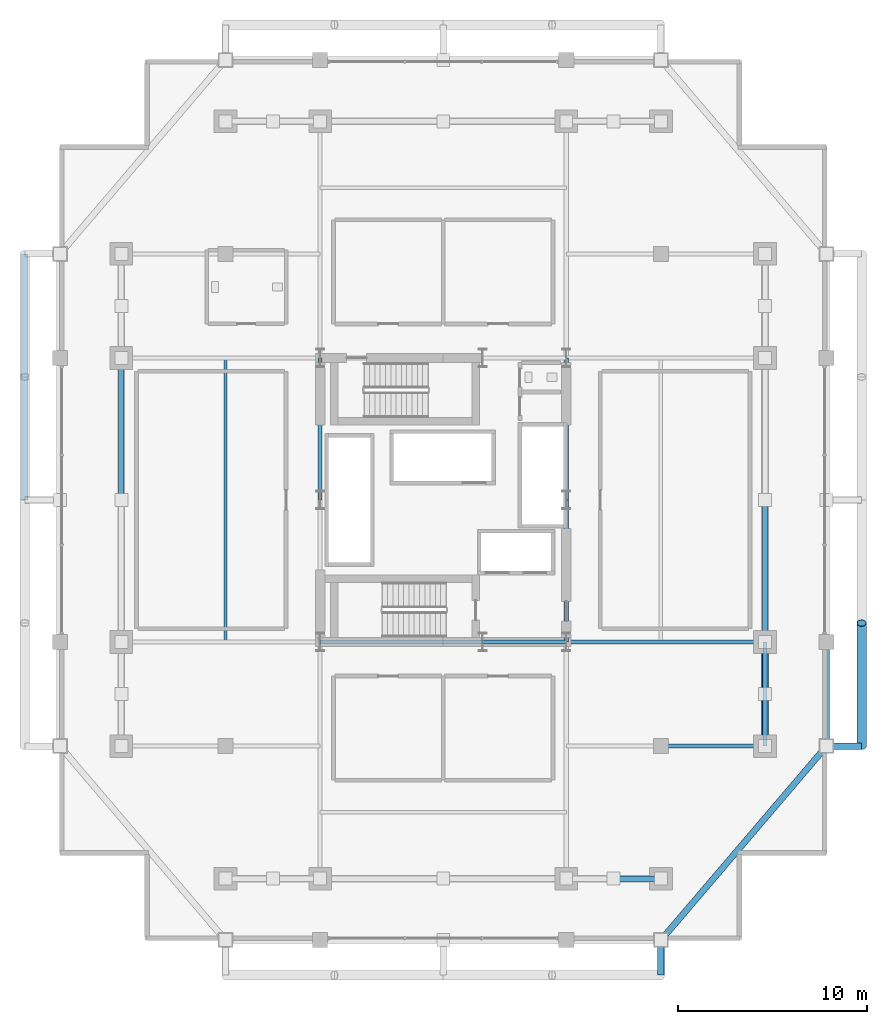
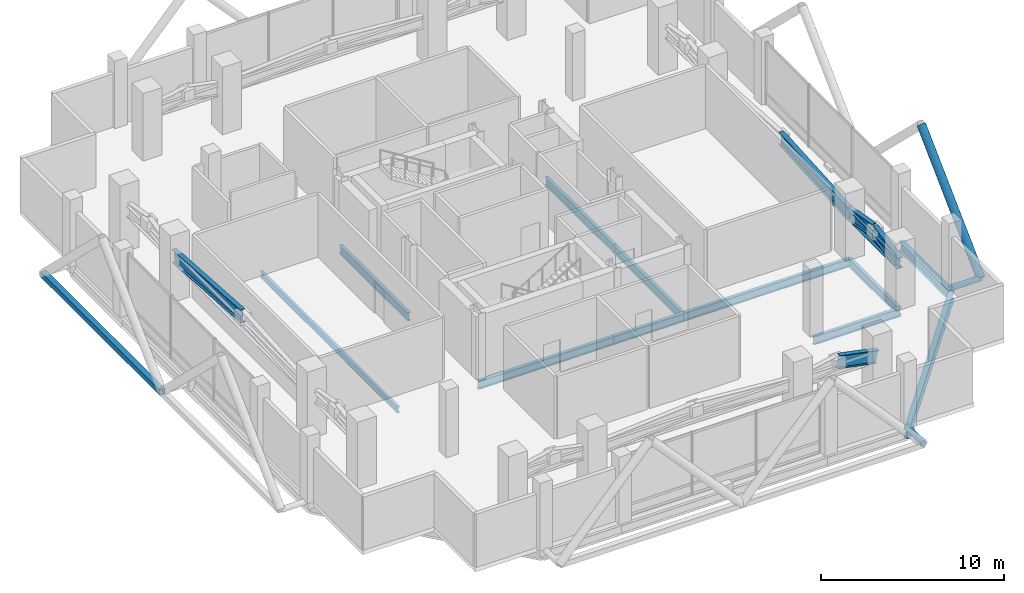
# One storey, part 8 of 22: 11 beams, 10 members.
"""IFC4 building model written with IfcOpenShell, lengths in metres."""

from ifc_helpers import new_model, si_unit, direction, frame, origin, origin_2d, place, context, subcontext, project, spatial, hollow_rectangle, hollow_circle, i_section, extrude, material, material_profile, profile_set, type_object, element, save


model = new_model("IFC4")

# Units and contexts
model_context = context("Model", 3, precision=1e-05, world=origin(), true_north=direction((0.0, 1.0)))
body_context = subcontext(model_context, "Body", "Model", "MODEL_VIEW")
ifc_project = project(units=[si_unit("LENGTHUNIT", "METRE"), si_unit("AREAUNIT", "SQUARE_METRE"), si_unit("VOLUMEUNIT", "CUBIC_METRE"), si_unit("PLANEANGLEUNIT", "RADIAN"), si_unit("MASSUNIT", "GRAM", prefix="KILO")], contexts=[model_context])

# Site, building, storey
site_placement = place(None, origin())
site = spatial("IfcSite", under=ifc_project, at=site_placement, CompositionType="ELEMENT")
building_placement = place(site_placement, origin())
building = spatial("IfcBuilding", under=site, at=building_placement, Name="Barlavira Tower and Art Museum", CompositionType="ELEMENT")
storey_placement = place(building_placement, frame((0.0, 0.0, 120.60009765625)))
storey = spatial("IfcBuildingStorey", under=building, at=storey_placement, Name="L30", CompositionType="ELEMENT", Elevation=120.60009765625)

# Members
ifc_material = material(Name="Steel S355", Category="steel")
ifc_material_profile_1 = material_profile(ifc_material, i_section(OverallWidth=0.35595703125, OverallDepth=0.695068359375, WebThickness=0.014892578125, FlangeThickness=0.023681640625, at=origin_2d()), Name="W690x192.0")
ifc_profile_set_1 = profile_set([ifc_material_profile_1], Name="Steel S355")
member_type_1 = type_object("IfcMemberType", Name="Belt Truss Chord Member W690x192 Steel S355", PredefinedType="CHORD", material=ifc_profile_set_1)
member_1_placement = place(storey_placement, frame((17.0, -13.0, 2.64990234375), z_axis=(0.0, 1.0, 0.0), x_axis=(-1.0, 0.0, 0.0)))
element("IfcMember", 1, at=member_1_placement, inside=storey, type_object=member_type_1, Name="L30 Belt Truss Bottom Chord BE1", PredefinedType="CHORD", context=body_context, shape_type="SweptSolid", body=[
    extrude(i_section(OverallWidth=0.35595703125, OverallDepth=0.695068359375, WebThickness=0.014892578125, FlangeThickness=0.023681640625, at=origin_2d()), origin(), (0.0, 0.0, 1.0), 5.5),
])
ifc_material_profile_2 = material_profile(ifc_material, i_section(OverallWidth=0.2939453125, OverallDepth=0.85107421875, WebThickness=0.017333984375, FlangeThickness=0.0283203125, at=origin_2d()), Name="W840x251.0")
ifc_profile_set_2 = profile_set([ifc_material_profile_2], Name="Steel S355")
member_type_2 = type_object("IfcMemberType", Name="Belt Truss Diagonal Brace W840x251 Steel S355", PredefinedType="BRACE", material=ifc_profile_set_2)
member_2_placement = place(storey_placement, frame((9.0, -20.0, 3.14990234375), z_axis=(0.980580675691, 0.0, -0.196116135138), x_axis=(0.0, 1.0, 0.0)))
element("IfcMember", 2, at=member_2_placement, inside=storey, type_object=member_type_2, Name="L30 Belt Truss Diagonal BS3-2", PredefinedType="BRACE", context=body_context, shape_type="SweptSolid", body=[
    extrude(i_section(OverallWidth=0.2939453125, OverallDepth=0.85107421875, WebThickness=0.017333984375, FlangeThickness=0.0283203125, at=origin_2d()), origin(), (0.0, 0.0, 1.0), 2.549560546875),
])
member_3_placement = place(storey_placement, frame((-17.0, 0.0, 3.14990234375), z_axis=(0.0, 0.997785157857, -0.066519010524), x_axis=(-1.0, 0.0, 0.0)))
element("IfcMember", 3, at=member_3_placement, inside=storey, type_object=member_type_2, Name="L30 Belt Truss Diagonal BW2-2", PredefinedType="BRACE", context=body_context, shape_type="SweptSolid", body=[
    extrude(i_section(OverallWidth=0.2939453125, OverallDepth=0.85107421875, WebThickness=0.017333984375, FlangeThickness=0.0283203125, at=origin_2d()), origin(), (0.0, 0.0, 1.0), 7.5166015625),
])
for number, where, z_axis, x_axis, name in (
    (4, (17.0, -13.0, 2.64990234375), (0.0, 0.9838699101, 0.1788854382), (-1.0, 0.0, 0.0), "L30 Belt Truss Diagonal BE1-1"),
    (5, (17.0, -10.25, 3.14990234375), (0.0, 0.9838699101, -0.1788854382), (-1.0, 0.0, 0.0), "L30 Belt Truss Diagonal BE1-2"),
):
    element("IfcMember", number, at=place(storey_placement, frame(where, z_axis=z_axis, x_axis=x_axis)), inside=storey, type_object=member_type_2, Name=name, PredefinedType="BRACE", context=body_context, shape_type="SweptSolid", body=[
        extrude(i_section(OverallWidth=0.2939453125, OverallDepth=0.85107421875, WebThickness=0.017333984375, FlangeThickness=0.0283203125, at=origin_2d()), origin(), (0.0, 0.0, 1.0), 2.795166015625),
    ])
member_4_placement = place(storey_placement, frame((17.0, -7.5, 2.64990234375), z_axis=(0.0, 0.997785157857, 0.066519010524), x_axis=(-1.0, 0.0, 0.0)))
element("IfcMember", 6, at=member_4_placement, inside=storey, type_object=member_type_2, Name="L30 Belt Truss Diagonal BE2-1", PredefinedType="BRACE", context=body_context, shape_type="SweptSolid", body=[
    extrude(i_section(OverallWidth=0.2939453125, OverallDepth=0.85107421875, WebThickness=0.017333984375, FlangeThickness=0.0283203125, at=origin_2d()), origin(), (0.0, 0.0, 1.0), 7.5166015625),
])
ifc_material_profile_3 = material_profile(ifc_material, hollow_circle(Radius=0.25390625, WallThickness=0.022216796875, at=origin_2d()), Name="CHS 508.0x22.2")
ifc_profile_set_3 = profile_set([ifc_material_profile_3], Name="Steel S355")
member_type_3 = type_object("IfcMemberType", Name="Pale-Metal Exoskeleton Diagrid Tube CHS 508x22 Steel S355", PredefinedType="BRACE", material=ifc_profile_set_3)
member_5_placement = place(storey_placement, frame((22.10009765625, -13.0, -0.1201171875), z_axis=(0.0, 0.718064979499, 0.695976066555), x_axis=(-1.0, 0.0, 0.0)))
element("IfcMember", 7, at=member_5_placement, inside=storey, type_object=member_type_3, Name="L30 Exoskeleton Diagrid Tube E", PredefinedType="BRACE", context=body_context, shape_type="SweptSolid", body=[
    extrude(hollow_circle(Radius=0.25390625, WallThickness=0.022216796875, at=origin_2d()), origin(), (0.0, 0.0, 1.0), 9.052001953125),
])
ifc_material_profile_4 = material_profile(ifc_material, hollow_rectangle(XDim=0.35009765625, YDim=0.35009765625, WallThickness=0.02001953125, at=origin_2d()), Name="SHS 350x350x20.0")
ifc_profile_set_4 = profile_set([ifc_material_profile_4], Name="Steel S355")
member_type_4 = type_object("IfcMemberType", Name="Pale-Metal Exoskeleton Ring Strut SHS 350x350x20 Steel S355", PredefinedType="STRUT", material=ifc_profile_set_4)
member_6_placement = place(storey_placement, frame((-22.10009765625, 0.0, -0.1201171875), z_axis=(0.0, 1.0, 0.0), x_axis=(-1.0, 0.0, 0.0)))
element("IfcMember", 8, at=member_6_placement, inside=storey, type_object=member_type_4, Name="L30 Exoskeleton Ring Strut W", PredefinedType="STRUT", context=body_context, shape_type="SweptSolid", body=[
    extrude(hollow_rectangle(XDim=0.35009765625, YDim=0.35009765625, WallThickness=0.02001953125, at=origin_2d()), origin(), (0.0, 0.0, 1.0), 13.0),
])
ifc_material_profile_5 = material_profile(ifc_material, hollow_circle(Radius=0.177734375, WallThickness=0.01611328125, at=origin_2d()), Name="CHS 355.6x16.0")
ifc_profile_set_5 = profile_set([ifc_material_profile_5], Name="Steel S355")
member_type_5 = type_object("IfcMemberType", Name="Pale-Metal Exoskeleton Tie Strut CHS 356x16 Steel S355", PredefinedType="STRUT", material=ifc_profile_set_5)
for number, where, z_axis, x_axis, name in (
    (9, (11.5, -25.10009765625, -0.1201171875), (0.0, 1.0, 0.0), (-1.0, 0.0, 0.0), "L30 Exoskeleton Tie Strut S3"),
    (10, (22.10009765625, -13.0, -0.1201171875), (-1.0, 0.0, 0.0), (0.0, -1.0, 0.0), "L30 Exoskeleton Tie Strut E1"),
):
    element("IfcMember", number, at=place(storey_placement, frame(where, z_axis=z_axis, x_axis=x_axis)), inside=storey, type_object=member_type_5, Name=name, PredefinedType="STRUT", context=body_context, shape_type="SweptSolid", body=[
        extrude(hollow_circle(Radius=0.177734375, WallThickness=0.01611328125, at=origin_2d()), origin(), (0.0, 0.0, 1.0), 1.85009765625),
    ])

# Beams
ifc_material_profile_6 = material_profile(ifc_material, i_section(OverallWidth=0.327880859375, OverallDepth=0.62890625, WebThickness=0.013916015625, FlangeThickness=0.021484375, at=origin_2d()), Name="W610x174.0")
ifc_profile_set_6 = profile_set([ifc_material_profile_6], Name="Steel S355")
beam_type_1 = type_object("IfcBeamType", Name="Perimeter Spandrel Edge Beam W610x174 Steel S355", PredefinedType="SPANDREL", material=ifc_profile_set_6)
beam_1_placement = place(storey_placement, frame((11.5, -23.25, -0.614501953125), z_axis=(0.649262379928, 0.760564502202, 0.0), x_axis=(-0.760564502202, 0.649262379928, 0.0)))
element("IfcBeam", 11, at=beam_1_placement, inside=storey, type_object=beam_type_1, Name="L30 Spandrel 4", PredefinedType="SPANDREL", context=body_context, shape_type="SweptSolid", body=[
    extrude(i_section(OverallWidth=0.327880859375, OverallDepth=0.62890625, WebThickness=0.013916015625, FlangeThickness=0.021484375, at=origin_2d()), origin(), (0.0, 0.0, 1.0), 13.476806640625),
])
beam_2_placement = place(storey_placement, frame((20.25, -13.0, -0.614501953125), z_axis=(0.0, 1.0, 0.0), x_axis=(-1.0, 0.0, 0.0)))
element("IfcBeam", 12, at=beam_2_placement, inside=storey, type_object=beam_type_1, Name="L30 Spandrel 5", PredefinedType="SPANDREL", context=body_context, shape_type="SweptSolid", body=[
    extrude(i_section(OverallWidth=0.327880859375, OverallDepth=0.62890625, WebThickness=0.013916015625, FlangeThickness=0.021484375, at=origin_2d()), origin(), (0.0, 0.0, 1.0), 5.5),
])
ifc_material_profile_7 = material_profile(ifc_material, i_section(OverallWidth=0.214111328125, OverallDepth=0.549072265625, WebThickness=0.0146484375, FlangeThickness=0.023681640625, at=origin_2d()), Name="W530x138.0")
ifc_profile_set_7 = profile_set([ifc_material_profile_7], Name="Steel S355")
beam_type_2 = type_object("IfcBeamType", Name="Zone 1 Primary Floor Girder W530x138 Steel S355", PredefinedType="BEAM", material=ifc_profile_set_7)
beam_3_placement = place(storey_placement, frame((-6.5, -7.5, -0.57470703125), z_axis=(1.0, 0.0, 0.0), x_axis=(0.0, 1.0, 0.0)))
element("IfcBeam", 13, at=beam_3_placement, inside=storey, type_object=beam_type_2, Name="L30 Girder C-S1", PredefinedType="BEAM", context=body_context, shape_type="SweptSolid", body=[
    extrude(i_section(OverallWidth=0.214111328125, OverallDepth=0.549072265625, WebThickness=0.0146484375, FlangeThickness=0.023681640625, at=origin_2d()), origin(), (0.0, 0.0, 1.0), 8.580078125),
])
beam_4_placement = place(storey_placement, frame((2.080078125, -7.5, -0.57470703125), z_axis=(1.0, 0.0, 0.0), x_axis=(0.0, 1.0, 0.0)))
element("IfcBeam", 14, at=beam_4_placement, inside=storey, type_object=beam_type_2, Name="L30 Girder C-S2", PredefinedType="BEAM", context=body_context, shape_type="SweptSolid", body=[
    extrude(i_section(OverallWidth=0.214111328125, OverallDepth=0.549072265625, WebThickness=0.0146484375, FlangeThickness=0.023681640625, at=origin_2d()), origin(), (0.0, 0.0, 1.0), 4.419921875),
])
for number, where, z_axis, x_axis, name in (
    (15, (-6.5, 0.0, -0.57470703125), (0.0, 1.0, 0.0), (-1.0, 0.0, 0.0), "L30 Girder C-W2"),
    (16, (6.5, -7.5, -0.57470703125), (0.0, 1.0, 0.0), (-1.0, 0.0, 0.0), "L30 Girder C-E1"),
    (17, (6.5, 0.0, -0.57470703125), (0.0, 1.0, 0.0), (-1.0, 0.0, 0.0), "L30 Girder C-E2"),
):
    element("IfcBeam", number, at=place(storey_placement, frame(where, z_axis=z_axis, x_axis=x_axis)), inside=storey, type_object=beam_type_2, Name=name, PredefinedType="BEAM", context=body_context, shape_type="SweptSolid", body=[
        extrude(i_section(OverallWidth=0.214111328125, OverallDepth=0.549072265625, WebThickness=0.0146484375, FlangeThickness=0.023681640625, at=origin_2d()), origin(), (0.0, 0.0, 1.0), 7.5),
    ])
beam_5_placement = place(storey_placement, frame((17.0, -13.0, -0.57470703125), z_axis=(0.0, 1.0, 0.0), x_axis=(-1.0, 0.0, 0.0)))
element("IfcBeam", 18, at=beam_5_placement, inside=storey, type_object=beam_type_2, Name="L30 Girder M-E1", PredefinedType="BEAM", context=body_context, shape_type="SweptSolid", body=[
    extrude(i_section(OverallWidth=0.214111328125, OverallDepth=0.549072265625, WebThickness=0.0146484375, FlangeThickness=0.023681640625, at=origin_2d()), origin(), (0.0, 0.0, 1.0), 5.5),
])
beam_6_placement = place(storey_placement, frame((6.5, -7.5, -0.57470703125), z_axis=(1.0, 0.0, 0.0), x_axis=(0.0, 1.0, 0.0)))
element("IfcBeam", 19, at=beam_6_placement, inside=storey, type_object=beam_type_2, Name="L30 Girder R-E1", PredefinedType="BEAM", context=body_context, shape_type="SweptSolid", body=[
    extrude(i_section(OverallWidth=0.214111328125, OverallDepth=0.549072265625, WebThickness=0.0146484375, FlangeThickness=0.023681640625, at=origin_2d()), origin(), (0.0, 0.0, 1.0), 10.5),
])
beam_7_placement = place(storey_placement, frame((11.5, -13.0, -0.57470703125), z_axis=(1.0, 0.0, 0.0), x_axis=(0.0, 1.0, 0.0)))
element("IfcBeam", 20, at=beam_7_placement, inside=storey, type_object=beam_type_2, Name="L30 Girder I-S4", PredefinedType="BEAM", context=body_context, shape_type="SweptSolid", body=[
    extrude(i_section(OverallWidth=0.214111328125, OverallDepth=0.549072265625, WebThickness=0.0146484375, FlangeThickness=0.023681640625, at=origin_2d()), origin(), (0.0, 0.0, 1.0), 5.5),
])
ifc_material_profile_8 = material_profile(ifc_material, i_section(OverallWidth=0.179931640625, OverallDepth=0.4130859375, WebThickness=0.009765625, FlangeThickness=0.01611328125, at=origin_2d()), Name="W410x75.0")
ifc_profile_set_8 = profile_set([ifc_material_profile_8], Name="Steel S355")
beam_type_3 = type_object("IfcBeamType", Name="Zone 2 Composite Floor Joist W410x75 Steel S355", PredefinedType="JOIST", material=ifc_profile_set_8)
beam_8_placement = place(storey_placement, frame((-11.5, -7.5, -0.506591796875), z_axis=(0.0, 1.0, 0.0), x_axis=(-1.0, 0.0, 0.0)))
element("IfcBeam", 21, at=beam_8_placement, inside=storey, type_object=beam_type_3, Name="L30 Joist W1", PredefinedType="JOIST", context=body_context, shape_type="SweptSolid", body=[
    extrude(i_section(OverallWidth=0.179931640625, OverallDepth=0.4130859375, WebThickness=0.009765625, FlangeThickness=0.01611328125, at=origin_2d()), origin(), (0.0, 0.0, 1.0), 15.0),
])

save(model, "model.ifc")
